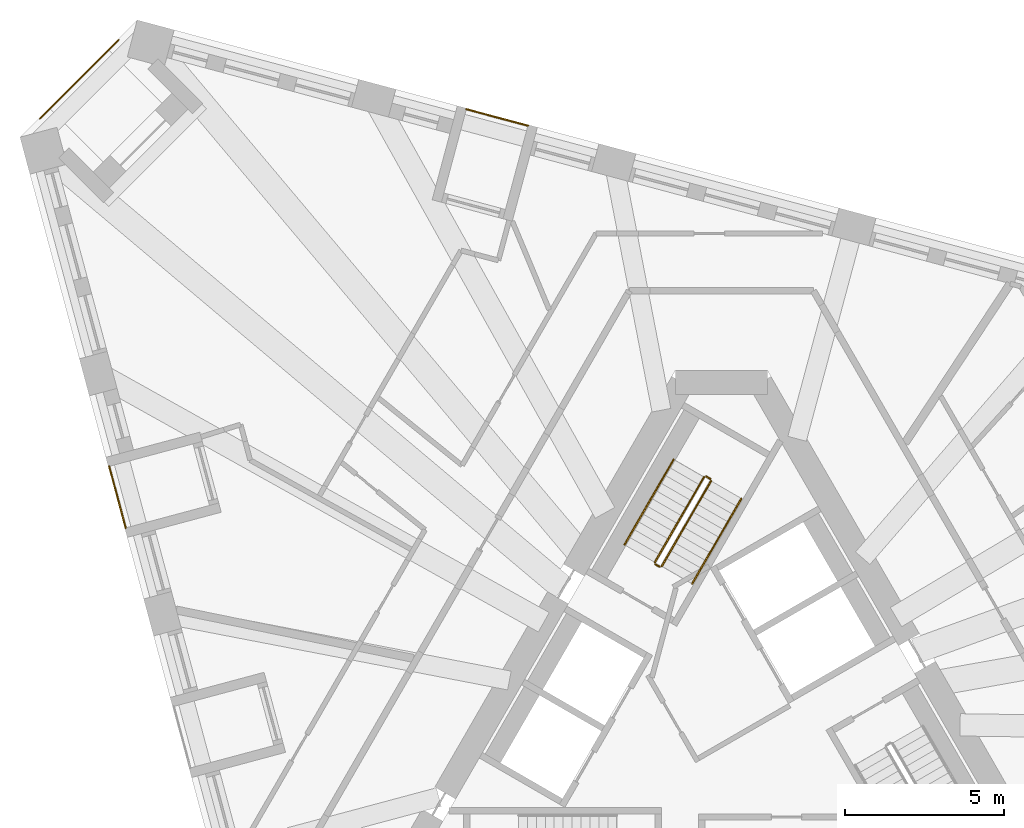
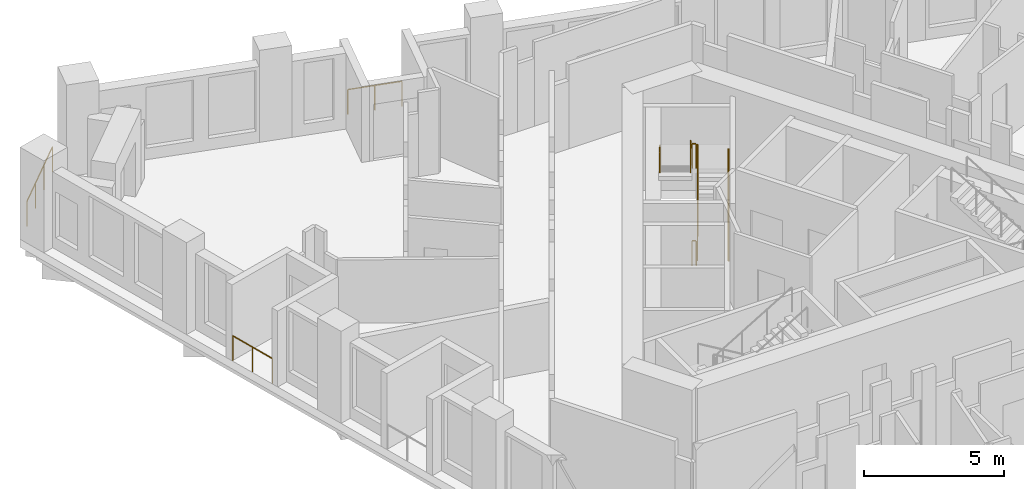
# One storey, part 12 of 13: 9 railings.
"""IFC4 building model written with IfcOpenShell, lengths in metres."""

from ifc_helpers import new_model, si_unit, direction, frame, origin, origin_2d, place, context, subcontext, project, spatial, circle, extrude, material, type_object, element, save


model = new_model("IFC4")

# Units and contexts
model_context = context("Model", 3, precision=1e-05, world=origin(), true_north=direction((0.0, 1.0)))
body_context = subcontext(model_context, "Body", "Model", "MODEL_VIEW")
ifc_project = project(units=[si_unit("LENGTHUNIT", "METRE"), si_unit("AREAUNIT", "SQUARE_METRE"), si_unit("VOLUMEUNIT", "CUBIC_METRE"), si_unit("PLANEANGLEUNIT", "RADIAN"), si_unit("MASSUNIT", "GRAM", prefix="KILO")], contexts=[model_context])

# Site, building, storey
site_placement = place(None, origin())
site = spatial("IfcSite", under=ifc_project, at=site_placement, CompositionType="ELEMENT")
building_placement = place(site_placement, origin())
building = spatial("IfcBuilding", under=site, at=building_placement, Name="Tramontana Tower", CompositionType="ELEMENT")
storey_placement = place(building_placement, frame((0.0, 0.0, 228.0)))
storey = spatial("IfcBuildingStorey", under=building, at=storey_placement, Name="L53", CompositionType="ELEMENT", Elevation=228.0)

# Railings
ifc_material_1 = material(Name="Laminated glass balustrade", Category="glass")
railing_type_1 = type_object("IfcRailingType", Name="GD1 Loggia glass balustrade 1100", PredefinedType="BALUSTRADE", material=ifc_material_1)
railing_1_placement = place(storey_placement, frame((-19.193359375, 7.9951171875, 0.0)))
element("IfcRailing", 1, at=railing_1_placement, inside=storey, type_object=railing_type_1, Name="Loggia balustrade L53 G5S0.4", PredefinedType="BALUSTRADE", context=body_context, shape_type="SweptSolid", body=[
    extrude(circle(Radius=0.02392578125, at=origin_2d()), frame((0.0, 0.0, 1.076171875), z_axis=(0.258803270362, -0.96593005298, 0.0), x_axis=(0.96593005298, 0.258803270362, 0.0)), (0.0, 0.0, 1.0), 1.998046875),
    extrude(circle(Radius=0.02099609375, at=origin_2d()), origin(), (0.0, 0.0, 1.0), 1.052001953125),
    extrude(circle(Radius=0.02099609375, at=origin_2d()), frame((0.258544921875, -0.96484375, 0.0)), (0.0, 0.0, 1.0), 1.052001953125),
    extrude(circle(Radius=0.02099609375, at=origin_2d()), frame((0.51708984375, -1.929931640625, 0.0)), (0.0, 0.0, 1.0), 1.052001953125),
])
railing_2_placement = place(storey_placement, frame((-6.065185546875, 18.67626953125, 0.0)))
element("IfcRailing", 2, at=railing_2_placement, inside=storey, type_object=railing_type_1, Name="Loggia balustrade L53 G5S2.13", PredefinedType="BALUSTRADE", context=body_context, shape_type="SweptSolid", body=[
    extrude(circle(Radius=0.02392578125, at=origin_2d()), frame((0.0, 0.0, 1.076171875), z_axis=(-0.96593005298, 0.258803270362, 0.0), x_axis=(-0.258803270362, -0.96593005298, 0.0)), (0.0, 0.0, 1.0), 1.998046875),
    extrude(circle(Radius=0.02099609375, at=origin_2d()), origin(), (0.0, 0.0, 1.0), 1.052001953125),
    extrude(circle(Radius=0.02099609375, at=origin_2d()), frame((-0.96484375, 0.258544921875, 0.0)), (0.0, 0.0, 1.0), 1.052001953125),
    extrude(circle(Radius=0.02099609375, at=origin_2d()), frame((-1.929931640625, 0.51708984375, 0.0)), (0.0, 0.0, 1.0), 1.052001953125),
])
railing_3_placement = place(storey_placement, frame((-21.36865234375, 18.893798828125, 0.0)))
element("IfcRailing", 3, at=railing_3_placement, inside=storey, type_object=railing_type_1, Name="Corner loggia balustrade L53 K50", PredefinedType="BALUSTRADE", context=body_context, shape_type="SweptSolid", body=[
    extrude(circle(Radius=0.02392578125, at=origin_2d()), frame((0.0, 0.0, 1.076171875), z_axis=(0.707106781187, 0.707106781187, 0.0), x_axis=(-0.707106781187, 0.707106781187, 0.0)), (0.0, 0.0, 1.0), 3.5),
    extrude(circle(Radius=0.02099609375, at=origin_2d()), origin(), (0.0, 0.0, 1.0), 1.052001953125),
    extrude(circle(Radius=0.02099609375, at=origin_2d()), frame((0.824951171875, 0.824951171875, 0.0)), (0.0, 0.0, 1.0), 1.052001953125),
    extrude(circle(Radius=0.02099609375, at=origin_2d()), frame((1.64990234375, 1.64990234375, 0.0)), (0.0, 0.0, 1.0), 1.052001953125),
    extrude(circle(Radius=0.02099609375, at=origin_2d()), frame((2.474853515625, 2.474853515625, 0.0)), (0.0, 0.0, 1.0), 1.052001953125),
])
ifc_material_2 = material(Name="Painted steel", Category="steel")
railing_type_2 = type_object("IfcRailingType", Name="STAIR GUARD 1100", PredefinedType="GUARDRAIL", material=ifc_material_2)
railing_4_placement = place(storey_placement, frame((-1.867431640625, 4.865478515625, 0.166748046875)))
element("IfcRailing", 4, at=railing_4_placement, inside=storey, type_object=railing_type_2, Name="L53 ST1 stair guard 1", PredefinedType="GUARDRAIL", context=body_context, shape_type="SweptSolid", body=[
    extrude(circle(Radius=0.02392578125, at=origin_2d()), frame((0.0, 0.0, 1.076171875), z_axis=(0.429649414936, 0.744189839504, 0.511451721109), x_axis=(-0.866029832698, 0.499992328818, 0.0)), (0.0, 0.0, 1.0), 3.58447265625),
    extrude(circle(Radius=0.02099609375, at=origin_2d()), origin(), (0.0, 0.0, 1.0), 1.052001953125),
    extrude(circle(Radius=0.02099609375, at=origin_2d()), frame((0.513427734375, 0.88916015625, 0.611083984375)), (0.0, 0.0, 1.0), 1.052001953125),
    extrude(circle(Radius=0.02099609375, at=origin_2d()), frame((1.026611328125, 1.7783203125, 1.22216796875)), (0.0, 0.0, 1.0), 1.052001953125),
    extrude(circle(Radius=0.02099609375, at=origin_2d()), frame((1.5400390625, 2.66748046875, 1.833251953125)), (0.0, 0.0, 1.0), 1.052001953125),
])
railing_5_placement = place(storey_placement, frame((-0.5439453125, 7.657958984375, 2.166748046875)))
element("IfcRailing", 5, at=railing_5_placement, inside=storey, type_object=railing_type_2, Name="L53 ST1 stair guard 2", PredefinedType="GUARDRAIL", context=body_context, shape_type="SweptSolid", body=[
    extrude(circle(Radius=0.02392578125, at=origin_2d()), frame((0.0, 0.0, 1.076171875), z_axis=(-0.429649414936, -0.744189839504, 0.511451721109), x_axis=(0.866029832698, -0.499992328818, 0.0)), (0.0, 0.0, 1.0), 3.58447265625),
    extrude(circle(Radius=0.02099609375, at=origin_2d()), origin(), (0.0, 0.0, 1.0), 1.052001953125),
    extrude(circle(Radius=0.02099609375, at=origin_2d()), frame((-0.513427734375, -0.88916015625, 0.611083984375)), (0.0, 0.0, 1.0), 1.052001953125),
    extrude(circle(Radius=0.02099609375, at=origin_2d()), frame((-1.026611328125, -1.7783203125, 1.22216796875)), (0.0, 0.0, 1.0), 1.052001953125),
    extrude(circle(Radius=0.02099609375, at=origin_2d()), frame((-1.5400390625, -2.66748046875, 1.833251953125)), (0.0, 0.0, 1.0), 1.052001953125),
])
railing_6_placement = place(storey_placement, frame((-0.345703125, 7.601318359375, 2.0)))
element("IfcRailing", 6, at=railing_6_placement, inside=storey, type_object=railing_type_2, Name="L53 ST1 stair guard 3", PredefinedType="GUARDRAIL", context=body_context, shape_type="SweptSolid", body=[
    extrude(circle(Radius=0.02392578125, at=origin_2d()), frame((0.0, 0.0, 1.076171875), z_axis=(-0.866131372301, 0.499816412211, 0.0), x_axis=(-0.499816412211, -0.866131372301, 0.0)), (0.0, 0.0, 1.0), 0.14990234375),
    extrude(circle(Radius=0.02099609375, at=origin_2d()), origin(), (0.0, 0.0, 1.0), 1.052001953125),
    extrude(circle(Radius=0.02099609375, at=origin_2d()), frame((-0.1298828125, 0.074951171875, 0.0)), (0.0, 0.0, 1.0), 1.052001953125),
])
railing_7_placement = place(storey_placement, frame((-1.935791015625, 4.84716796875, 0.0)))
element("IfcRailing", 7, at=railing_7_placement, inside=storey, type_object=railing_type_2, Name="L53 ST1 stair guard 4", PredefinedType="GUARDRAIL", context=body_context, shape_type="SweptSolid", body=[
    extrude(circle(Radius=0.02392578125, at=origin_2d()), frame((0.0, 0.0, 1.076171875), z_axis=(-0.865426285481, 0.501036270542, 0.0), x_axis=(-0.501036270542, -0.865426285481, 0.0)), (0.0, 0.0, 1.0), 0.150146484375),
    extrude(circle(Radius=0.02099609375, at=origin_2d()), origin(), (0.0, 0.0, 1.0), 1.052001953125),
    extrude(circle(Radius=0.02099609375, at=origin_2d()), frame((-0.1298828125, 0.0751953125, 0.0)), (0.0, 0.0, 1.0), 1.052001953125),
])
ifc_material_3 = material(Name="Painted steel", Category="steel")
railing_type_3 = type_object("IfcRailingType", Name="STAIR HANDRAIL 900", PredefinedType="HANDRAIL", material=ifc_material_3)
railing_8_placement = place(storey_placement, frame((-0.914794921875, 4.315673828125, 0.166748046875)))
element("IfcRailing", 8, at=railing_8_placement, inside=storey, type_object=railing_type_3, Name="L53 ST1 stair handrail 1", PredefinedType="HANDRAIL", context=body_context, shape_type="SweptSolid", body=[
    extrude(circle(Radius=0.02392578125, at=origin_2d()), frame((0.0, 0.0, 0.8759765625), z_axis=(0.429671193721, 0.744159446956, 0.511477646425), x_axis=(-0.866010015463, 0.500026652407, 0.0)), (0.0, 0.0, 1.0), 3.584228515625),
    extrude(circle(Radius=0.02099609375, at=origin_2d()), origin(), (0.0, 0.0, 1.0), 0.851806640625),
    extrude(circle(Radius=0.02099609375, at=origin_2d()), frame((0.513427734375, 0.88916015625, 0.611083984375)), (0.0, 0.0, 1.0), 0.851806640625),
    extrude(circle(Radius=0.02099609375, at=origin_2d()), frame((1.026611328125, 1.778076171875, 1.22216796875)), (0.0, 0.0, 1.0), 0.851806640625),
    extrude(circle(Radius=0.02099609375, at=origin_2d()), frame((1.5400390625, 2.667236328125, 1.833251953125)), (0.0, 0.0, 1.0), 0.851806640625),
])
railing_9_placement = place(storey_placement, frame((-1.49658203125, 8.2080078125, 2.166748046875)))
element("IfcRailing", 9, at=railing_9_placement, inside=storey, type_object=railing_type_3, Name="L53 ST1 stair handrail 2", PredefinedType="HANDRAIL", context=body_context, shape_type="SweptSolid", body=[
    extrude(circle(Radius=0.02392578125, at=origin_2d()), frame((0.0, 0.0, 0.8759765625), z_axis=(-0.429649414936, -0.744189839504, 0.511451721109), x_axis=(0.866029832698, -0.499992328818, 0.0)), (0.0, 0.0, 1.0), 3.58447265625),
    extrude(circle(Radius=0.02099609375, at=origin_2d()), origin(), (0.0, 0.0, 1.0), 0.851806640625),
    extrude(circle(Radius=0.02099609375, at=origin_2d()), frame((-0.513427734375, -0.88916015625, 0.611083984375)), (0.0, 0.0, 1.0), 0.851806640625),
    extrude(circle(Radius=0.02099609375, at=origin_2d()), frame((-1.026611328125, -1.7783203125, 1.22216796875)), (0.0, 0.0, 1.0), 0.851806640625),
    extrude(circle(Radius=0.02099609375, at=origin_2d()), frame((-1.5400390625, -2.66748046875, 1.833251953125)), (0.0, 0.0, 1.0), 0.851806640625),
])

save(model, "model.ifc")
